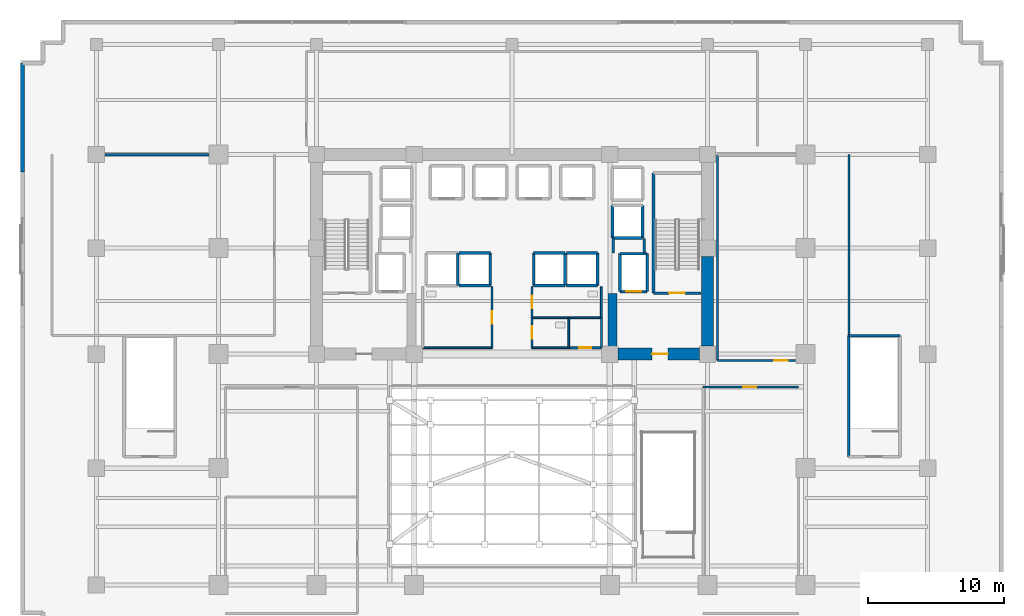
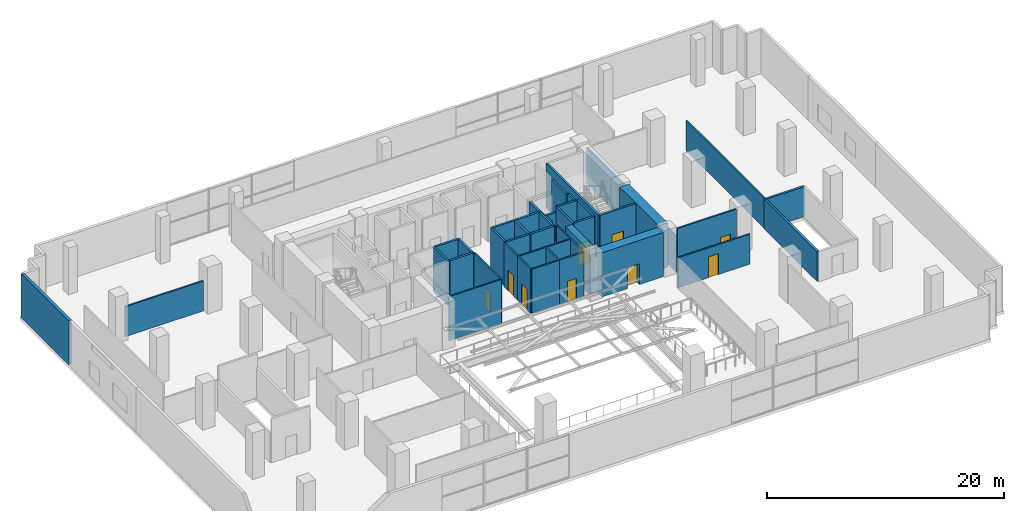
# One storey, part 16 of 22: 43 walls, 9 doors, 9 openings.
"""IFC4 building model written with IfcOpenShell, lengths in metres."""

from ifc_helpers import new_model, si_unit, direction, frame, frame_2d, origin, place, context, subcontext, project, spatial, rectangle, extrude, source, transform, mapped, material, layer, layer_set, type_object, element, fill, save


model = new_model("IFC4")

# Units and contexts
model_context = context("Model", 3, precision=1e-05, world=origin(), true_north=direction((0.0, 1.0)))
body_context = subcontext(model_context, "Body", "Model", "MODEL_VIEW")
ifc_project = project(units=[si_unit("LENGTHUNIT", "METRE"), si_unit("AREAUNIT", "SQUARE_METRE"), si_unit("VOLUMEUNIT", "CUBIC_METRE"), si_unit("PLANEANGLEUNIT", "RADIAN"), si_unit("MASSUNIT", "GRAM", prefix="KILO")], contexts=[model_context])

# Site, building, storey
site_placement = place(None, origin())
site = spatial("IfcSite", under=ifc_project, at=site_placement, CompositionType="ELEMENT")
building_placement = place(site_placement, origin())
building = spatial("IfcBuilding", under=site, at=building_placement, Name="Zarnakvel Exchange Tower", CompositionType="ELEMENT")
storey_placement = place(building_placement, frame((0.0, 0.0, 22.60009765625)))
storey = spatial("IfcBuildingStorey", under=building, at=storey_placement, Name="L05", CompositionType="ELEMENT", Elevation=22.60009765625)

# Wall
ifc_material_1 = material(Name="Concrete C80/95", Category="concrete")
ifc_layer_1 = layer(ifc_material_1, 0.89990234375)
ifc_layer_set_1 = layer_set([ifc_layer_1], Name="Concrete C80/95")
wall_type_1 = type_object("IfcWallType", Name="CW-C1", PredefinedType="SHEAR", material=ifc_layer_set_1)
wall_1_placement = place(storey_placement, frame((14.39990234375, -0.60009765625, 0.0), z_axis=(0.0, 0.0, 1.0), x_axis=(0.0, 1.0, 0.0)))
element("IfcWall", 1, at=wall_1_placement, inside=storey, type_object=wall_type_1, Name="L05 Rear Core Shear Wall E1 (CW-C1)", PredefinedType="SHEAR", context=body_context, shape_type="SweptSolid", body=[
    extrude(rectangle(XDim=6.60009765625, YDim=0.89990234375, at=frame_2d((3.300048828125, 0.0))), origin(), (0.0, 0.0, 1.0), 4.5498046875),
])

# Wall, opening, door
wall_2_placement = place(storey_placement, frame((13.800048828125, -1.199951171875, 0.0), z_axis=(0.0, 0.0, 1.0), x_axis=(-1.0, 0.0, 0.0)))
wall_2 = element("IfcWall", 2, at=wall_2_placement, inside=storey, type_object=wall_type_1, Name="L05 Rear Core Shear Wall SE (CW-C1)", PredefinedType="SHEAR", context=body_context, shape_type="SweptSolid", body=[
    extrude(rectangle(XDim=6.0, YDim=0.89990234375, at=frame_2d((3.0, 0.0))), origin(), (0.0, 0.0, 1.0), 4.5498046875),
])
opening_1_placement = place(wall_2_placement, frame((2.324951171875, 0.0, 0.0)))
opening_1 = element("IfcOpeningElement", 3, at=opening_1_placement, cuts=wall_2, Name="Opening D-L05-04", PredefinedType="OPENING", context=body_context, shape_type="SweptSolid", body=[
    extrude(rectangle(XDim=1.14990234375, YDim=2.14990234375, at=frame_2d((0.574951171875, 1.074951171875))), frame((0.0, 0.4599609375, 0.0), z_axis=(0.0, -1.0, 0.0), x_axis=(1.0, 0.0, 0.0)), (0.0, 0.0, 1.0), 0.919921875),
])
ifc_material_2 = material(Name="Painted Galvanised Steel S355", Category="steel")
door_type_1 = type_object("IfcDoorType", Name="DT-04", OperationType="NOTDEFINED", PredefinedType="DOOR", material=ifc_material_2)
shared_shape_1 = source(origin(), body_context, "Body", "SweptSolid", [
    extrude(rectangle(XDim=1.14990234375, YDim=2.14990234375, at=frame_2d((0.574951171875, 1.074951171875))), frame((0.0, 0.02490234375, 0.0), z_axis=(0.0, -1.0, 0.0), x_axis=(1.0, 0.0, 0.0)), (0.0, 0.0, 1.0), 0.050048828125),
])
door_1_placement = place(opening_1_placement, origin())
door_1 = element("IfcDoor", 4, at=door_1_placement, inside=storey, type_object=door_type_1, Name="L05 Firefighting Lobby East Door D-L05-04", OperationType="SINGLE_SWING_LEFT", OverallHeight=2.14990234375, OverallWidth=1.14990234375, PredefinedType="DOOR", context=body_context, shape_type="MappedRepresentation", body=[
    mapped(shared_shape_1, transform((0.0, 0.0, 0.0), x_axis=(1.0, 0.0, 0.0), y_axis=(0.0, 1.0, 0.0), z_axis=(0.0, 0.0, 1.0), scale=1.0)),
])
fill(opening_1, door_1)

# Walls
ifc_layer_2 = layer(ifc_material_1, 0.64990234375)
ifc_layer_set_2 = layer_set([ifc_layer_2], Name="Concrete C80/95")
wall_type_2 = type_object("IfcWallType", Name="CW-C2", PredefinedType="SHEAR", material=ifc_layer_set_2)
wall_3_placement = place(storey_placement, frame((7.39990234375, -0.75, 0.0), z_axis=(0.0, 0.0, 1.0), x_axis=(0.0, 1.0, 0.0)))
element("IfcWall", 5, at=wall_3_placement, inside=storey, type_object=wall_type_2, Name="L05 Rear Core Shear Wall IE (CW-C2)", PredefinedType="SHEAR", context=body_context, shape_type="SweptSolid", body=[
    extrude(rectangle(XDim=4.0, YDim=0.64990234375, at=frame_2d((2.0, 0.0))), origin(), (0.0, 0.0, 1.0), 4.5498046875),
])
ifc_material_3 = material(Name="Precast concrete C40/50", Category="concrete")
ifc_layer_3 = layer(ifc_material_3, 0.280029296875)
ifc_layer_set_3 = layer_set([ifc_layer_3], Name="Precast concrete C40/50")
wall_type_3 = type_object("IfcWallType", Name="EW-01", PredefinedType="SOLIDWALL", material=ifc_layer_set_3)
wall_4_placement = place(storey_placement, frame((-36.0400390625, 20.239990234375, 0.0), z_axis=(0.0, 0.0, 1.0), x_axis=(0.0, -1.0, 0.0)))
element("IfcWall", 6, at=wall_4_placement, inside=storey, type_object=wall_type_3, Name="L05 Exterior Precast Spandrel Wall EWC-L05-02 (EW-01)", PredefinedType="SOLIDWALL", context=body_context, shape_type="SweptSolid", body=[
    extrude(rectangle(XDim=8.0400390625, YDim=0.280029296875, at=frame_2d((4.02001953125, 0.0))), origin(), (0.0, 0.0, 1.0), 4.5498046875),
])

# Wall, opening, door
ifc_material_4 = material(Name="Fire-Rated Gypsum Stud Partition", Category="gypsum")
ifc_layer_4 = layer(ifc_material_4, 0.14990234375)
ifc_layer_set_4 = layer_set([ifc_layer_4], Name="Fire-Rated Gypsum Stud Partition")
wall_type_4 = type_object("IfcWallType", Name="PT-01", PredefinedType="PARTITIONING", material=ifc_layer_set_4)
wall_5_placement = place(storey_placement, frame((6.580078125, -0.72998046875, 0.0), z_axis=(0.0, 0.0, 1.0), x_axis=(-1.0, 0.0, 0.0)))
wall_5 = element("IfcWall", 7, at=wall_5_placement, inside=storey, type_object=wall_type_4, Name="L05 Partition Wall PWALL-L05-020 (PT-01)", PredefinedType="PARTITIONING", context=body_context, shape_type="SweptSolid", body=[
    extrude(rectangle(XDim=2.400146484375, YDim=0.14990234375, at=frame_2d((1.2001953125, 0.0))), origin(), (0.0, 0.0, 1.0), 4.5498046875),
])
opening_2_placement = place(wall_5_placement, frame((0.760009765625, 0.0, 0.0)))
opening_2 = element("IfcOpeningElement", 8, at=opening_2_placement, cuts=wall_5, Name="Opening D-L05-08", PredefinedType="OPENING", context=body_context, shape_type="SweptSolid", body=[
    extrude(rectangle(XDim=0.8798828125, YDim=2.10009765625, at=frame_2d((0.43994140625, 1.050048828125))), frame((0.0, 0.0849609375, 0.0), z_axis=(0.0, -1.0, 0.0), x_axis=(1.0, 0.0, 0.0)), (0.0, 0.0, 1.0), 0.169921875),
])
door_type_2 = type_object("IfcDoorType", Name="DT-08", OperationType="NOTDEFINED", PredefinedType="DOOR", material=ifc_material_2)
shared_shape_2 = source(origin(), body_context, "Body", "SweptSolid", [
    extrude(rectangle(XDim=0.8798828125, YDim=2.10009765625, at=frame_2d((0.43994140625, 1.050048828125))), frame((0.0, 0.02490234375, 0.0), z_axis=(0.0, -1.0, 0.0), x_axis=(1.0, 0.0, 0.0)), (0.0, 0.0, 1.0), 0.050048828125),
])
door_2_placement = place(opening_2_placement, origin())
door_2 = element("IfcDoor", 9, at=door_2_placement, inside=storey, type_object=door_type_2, Name="L05 Cleaners Store Door D-L05-08", OperationType="SINGLE_SWING_LEFT", OverallHeight=2.10009765625, OverallWidth=0.8798828125, PredefinedType="DOOR", context=body_context, shape_type="MappedRepresentation", body=[
    mapped(shared_shape_2, transform((0.0, 0.0, 0.0), x_axis=(1.0, 0.0, 0.0), y_axis=(0.0, 1.0, 0.0), z_axis=(0.0, 0.0, 1.0), scale=1.0)),
])
fill(opening_2, door_2)

# Wall
wall_6_placement = place(storey_placement, frame((6.580078125, 1.47998046875, 0.0), z_axis=(0.0, 0.0, 1.0), x_axis=(0.0, -1.0, 0.0)))
element("IfcWall", 10, at=wall_6_placement, inside=storey, type_object=wall_type_4, Name="L05 Partition Wall PWALL-L05-021 (PT-01)", PredefinedType="PARTITIONING", context=body_context, shape_type="SweptSolid", body=[
    extrude(rectangle(XDim=2.2099609375, YDim=0.14990234375, at=frame_2d((1.10498046875, 0.0))), origin(), (0.0, 0.0, 1.0), 4.5498046875),
])

# Wall, opening, door
wall_7_placement = place(storey_placement, frame((14.080078125, -3.6298828125, 0.0), z_axis=(0.0, 0.0, 1.0), x_axis=(1.0, 0.0, 0.0)))
wall_7 = element("IfcWall", 11, at=wall_7_placement, inside=storey, type_object=wall_type_4, Name="L05 Partition Wall PWALL-L05-038 (PT-01)", PredefinedType="PARTITIONING", context=body_context, shape_type="SweptSolid", body=[
    extrude(rectangle(XDim=7.0, YDim=0.14990234375, at=frame_2d((3.5, 0.0))), origin(), (0.0, 0.0, 1.0), 3.08984375),
])
opening_3_placement = place(wall_7_placement, frame((2.929931640625, 0.0, 0.0)))
opening_3 = element("IfcOpeningElement", 12, at=opening_3_placement, cuts=wall_7, Name="Opening D-L05-13", PredefinedType="OPENING", context=body_context, shape_type="SweptSolid", body=[
    extrude(rectangle(XDim=0.97998046875, YDim=2.14990234375, at=frame_2d((0.489990234375, 1.074951171875))), frame((0.0, 0.0849609375, 0.0), z_axis=(0.0, -1.0, 0.0), x_axis=(1.0, 0.0, 0.0)), (0.0, 0.0, 1.0), 0.169921875),
])
ifc_material_5 = material(Name="Timber Acoustic Veneer", Category="wood")
door_type_3 = type_object("IfcDoorType", Name="DT-05", OperationType="NOTDEFINED", PredefinedType="DOOR", material=ifc_material_5)
shared_shape_3 = source(origin(), body_context, "Body", "SweptSolid", [
    extrude(rectangle(XDim=0.97998046875, YDim=2.14990234375, at=frame_2d((0.489990234375, 1.074951171875))), frame((0.0, 0.02490234375, 0.0), z_axis=(0.0, -1.0, 0.0), x_axis=(1.0, 0.0, 0.0)), (0.0, 0.0, 1.0), 0.050048828125),
])
door_3_placement = place(opening_3_placement, origin())
door_3 = element("IfcDoor", 13, at=door_3_placement, inside=storey, type_object=door_type_3, Name="L05 Algorithmic Brokerage Workspace Door D-L05-13", OperationType="SINGLE_SWING_RIGHT", OverallHeight=2.14990234375, OverallWidth=0.97998046875, PredefinedType="DOOR", context=body_context, shape_type="MappedRepresentation", body=[
    mapped(shared_shape_3, transform((0.0, 0.0, 0.0), x_axis=(1.0, 0.0, 0.0), y_axis=(0.0, 1.0, 0.0), z_axis=(0.0, 0.0, 1.0), scale=1.0)),
])
fill(opening_3, door_3)

# Wall
wall_8_placement = place(storey_placement, frame((-29.97998046875, 13.47998046875, 0.0), z_axis=(0.0, 0.0, 1.0), x_axis=(1.0, 0.0, 0.0)))
element("IfcWall", 14, at=wall_8_placement, inside=storey, type_object=wall_type_4, Name="L05 Partition Wall PWALL-L05-043 (PT-01)", PredefinedType="PARTITIONING", context=body_context, shape_type="SweptSolid", body=[
    extrude(rectangle(XDim=7.659912109375, YDim=0.14990234375, at=frame_2d((3.830078125, 0.0))), origin(), (0.0, 0.0, 1.0), 3.08984375),
])

# Wall, opening, door
wall_9_placement = place(storey_placement, frame((20.8798828125, -1.669921875, 0.0), z_axis=(0.0, 0.0, 1.0), x_axis=(-1.0, 0.0, 0.0)))
wall_9 = element("IfcWall", 15, at=wall_9_placement, inside=storey, type_object=wall_type_4, Name="L05 Partition Wall PWALL-L05-046 (PT-01)", PredefinedType="PARTITIONING", context=body_context, shape_type="SweptSolid", body=[
    extrude(rectangle(XDim=5.759765625, YDim=0.14990234375, at=frame_2d((2.8798828125, 0.0))), origin(), (0.0, 0.0, 1.0), 4.5498046875),
])
opening_4_placement = place(wall_9_placement, frame((0.590087890625, 0.0, 0.0)))
opening_4 = element("IfcOpeningElement", 16, at=opening_4_placement, cuts=wall_9, Name="Opening D-L05-15", PredefinedType="OPENING", context=body_context, shape_type="SweptSolid", body=[
    extrude(rectangle(XDim=0.97998046875, YDim=2.14990234375, at=frame_2d((0.489990234375, 1.074951171875))), frame((0.0, 0.0849609375, 0.0), z_axis=(0.0, -1.0, 0.0), x_axis=(1.0, 0.0, 0.0)), (0.0, 0.0, 1.0), 0.169921875),
])
door_4_placement = place(opening_4_placement, origin())
door_4 = element("IfcDoor", 17, at=door_4_placement, inside=storey, type_object=door_type_3, Name="L05 Shariah Advisory Boardroom Door D-L05-15", OperationType="SINGLE_SWING_RIGHT", OverallHeight=2.14990234375, OverallWidth=0.97998046875, PredefinedType="DOOR", context=body_context, shape_type="MappedRepresentation", body=[
    mapped(shared_shape_3, transform((0.0, 0.0, 0.0), x_axis=(1.0, 0.0, 0.0), y_axis=(0.0, 1.0, 0.0), z_axis=(0.0, 0.0, 1.0), scale=1.0)),
])
fill(opening_4, door_4)

# Walls
wall_10_placement = place(storey_placement, frame((15.1201171875, -1.669921875, 0.0), z_axis=(0.0, 0.0, 1.0), x_axis=(0.0, 1.0, 0.0)))
element("IfcWall", 18, at=wall_10_placement, inside=storey, type_object=wall_type_4, Name="L05 Partition Wall PWALL-L05-048 (PT-01)", PredefinedType="PARTITIONING", context=body_context, shape_type="SweptSolid", body=[
    extrude(rectangle(XDim=15.14990234375, YDim=0.14990234375, at=frame_2d((7.574951171875, 0.0))), origin(), (0.0, 0.0, 1.0), 3.725830078125),
])
wall_11_placement = place(storey_placement, frame((24.820068359375, 13.47998046875, 0.0), z_axis=(0.0, 0.0, 1.0), x_axis=(0.0, -1.0, 0.0)))
element("IfcWall", 19, at=wall_11_placement, inside=storey, type_object=wall_type_4, Name="L05 Partition Wall PWALL-L05-049 (PT-01)", PredefinedType="PARTITIONING", context=body_context, shape_type="SweptSolid", body=[
    extrude(rectangle(XDim=13.320068359375, YDim=0.14990234375, at=frame_2d((6.66015625, 0.0))), origin(), (0.0, 0.0, 1.0), 3.08984375),
])
ifc_layer_5 = layer(ifc_material_4, 0.179931640625)
ifc_layer_set_5 = layer_set([ifc_layer_5], Name="Fire-Rated Gypsum Stud Partition")
wall_type_5 = type_object("IfcWallType", Name="PT-02", PredefinedType="PARTITIONING", material=ifc_layer_set_5)
wall_12_placement = place(storey_placement, frame((7.469970703125, 6.239990234375, 0.0), z_axis=(0.0, 0.0, 1.0), x_axis=(0.0, 1.0, 0.0)))
element("IfcWall", 20, at=wall_12_placement, inside=storey, type_object=wall_type_5, Name="L05 Partition Wall PWALL-L05-009 (PT-02)", PredefinedType="PARTITIONING", context=body_context, shape_type="SweptSolid", body=[
    extrude(rectangle(XDim=1.090087890625, YDim=0.179931640625, at=frame_2d((0.544921875, 0.0))), origin(), (0.0, 0.0, 1.0), 3.08984375),
])
wall_13_placement = place(storey_placement, frame((9.72998046875, 7.330078125, 0.0), z_axis=(0.0, 0.0, 1.0), x_axis=(0.0, -1.0, 0.0)))
element("IfcWall", 21, at=wall_13_placement, inside=storey, type_object=wall_type_5, Name="L05 Partition Wall PWALL-L05-010 (PT-02)", PredefinedType="PARTITIONING", context=body_context, shape_type="SweptSolid", body=[
    extrude(rectangle(XDim=1.090087890625, YDim=0.179931640625, at=frame_2d((0.544921875, 0.0))), origin(), (0.0, 0.0, 1.0), 4.5498046875),
])
ifc_material_6 = material(Name="Moisture-Resistant Tile-Faced Partition", Category="gypsum")
ifc_layer_6 = layer(ifc_material_6, 0.135009765625)
ifc_layer_set_6 = layer_set([ifc_layer_6], Name="Moisture-Resistant Tile-Faced Partition")
wall_type_6 = type_object("IfcWallType", Name="PT-03", PredefinedType="PARTITIONING", material=ifc_layer_set_6)
wall_14_placement = place(storey_placement, frame((-1.469970703125, -0.72998046875, 0.0), z_axis=(0.0, 0.0, 1.0), x_axis=(-1.0, 0.0, 0.0)))
element("IfcWall", 22, at=wall_14_placement, inside=storey, type_object=wall_type_6, Name="L05 Partition Wall PWALL-L05-011 (PT-03)", PredefinedType="PARTITIONING", context=body_context, shape_type="SweptSolid", body=[
    extrude(rectangle(XDim=5.110107421875, YDim=0.135009765625, at=frame_2d((2.55517578125, 0.0))), origin(), (0.0, 0.0, 1.0), 4.5498046875),
])

# Wall, opening, door
wall_15_placement = place(storey_placement, frame((-1.469970703125, 3.760009765625, 0.0), z_axis=(0.0, 0.0, 1.0), x_axis=(0.0, -1.0, 0.0)))
wall_15 = element("IfcWall", 23, at=wall_15_placement, inside=storey, type_object=wall_type_6, Name="L05 Partition Wall PWALL-L05-013 (PT-03)", PredefinedType="PARTITIONING", context=body_context, shape_type="SweptSolid", body=[
    extrude(rectangle(XDim=4.489990234375, YDim=0.135009765625, at=frame_2d((2.2451171875, 0.0))), origin(), (0.0, 0.0, 1.0), 4.5498046875),
])
opening_5_placement = place(wall_15_placement, frame((1.800048828125, 0.0, 0.0)))
opening_5 = element("IfcOpeningElement", 24, at=opening_5_placement, cuts=wall_15, Name="Opening D-L05-05", PredefinedType="OPENING", context=body_context, shape_type="SweptSolid", body=[
    extrude(rectangle(XDim=0.919921875, YDim=2.10009765625, at=frame_2d((0.4599609375, 1.050048828125))), frame((0.0, 0.077392578125, 0.0), z_axis=(0.0, -1.0, 0.0), x_axis=(1.0, 0.0, 0.0)), (0.0, 0.0, 1.0), 0.155029296875),
])
ifc_material_7 = material(Name="Moisture-Resistant Laminate Timber", Category="wood")
door_type_4 = type_object("IfcDoorType", Name="DT-07", OperationType="NOTDEFINED", PredefinedType="DOOR", material=ifc_material_7)
shared_shape_4 = source(origin(), body_context, "Body", "SweptSolid", [
    extrude(rectangle(XDim=0.919921875, YDim=2.10009765625, at=frame_2d((0.4599609375, 1.050048828125))), frame((0.0, 0.02490234375, 0.0), z_axis=(0.0, -1.0, 0.0), x_axis=(1.0, 0.0, 0.0)), (0.0, 0.0, 1.0), 0.050048828125),
])
door_5_placement = place(opening_5_placement, origin())
door_5 = element("IfcDoor", 25, at=door_5_placement, inside=storey, type_object=door_type_4, Name="L05 Male Toilet Door D-L05-05", OperationType="SINGLE_SWING_RIGHT", OverallHeight=2.10009765625, OverallWidth=0.919921875, PredefinedType="DOOR", context=body_context, shape_type="MappedRepresentation", body=[
    mapped(shared_shape_4, transform((0.0, 0.0, 0.0), x_axis=(1.0, 0.0, 0.0), y_axis=(0.0, 1.0, 0.0), z_axis=(0.0, 0.0, 1.0), scale=1.0)),
])
fill(opening_5, door_5)

# Wall
wall_16_placement = place(storey_placement, frame((6.580078125, 1.47998046875, 0.0), z_axis=(0.0, 0.0, 1.0), x_axis=(-1.0, 0.0, 0.0)))
element("IfcWall", 26, at=wall_16_placement, inside=storey, type_object=wall_type_6, Name="L05 Partition Wall PWALL-L05-014 (PT-03)", PredefinedType="PARTITIONING", context=body_context, shape_type="SweptSolid", body=[
    extrude(rectangle(XDim=5.110107421875, YDim=0.135009765625, at=frame_2d((2.55517578125, 0.0))), origin(), (0.0, 0.0, 1.0), 4.5498046875),
])

# Wall, opening, door
wall_17_placement = place(storey_placement, frame((1.469970703125, 1.47998046875, 0.0), z_axis=(0.0, 0.0, 1.0), x_axis=(0.0, 1.0, 0.0)))
wall_17 = element("IfcWall", 27, at=wall_17_placement, inside=storey, type_object=wall_type_6, Name="L05 Partition Wall PWALL-L05-015 (PT-03)", PredefinedType="PARTITIONING", context=body_context, shape_type="SweptSolid", body=[
    extrude(rectangle(XDim=2.280029296875, YDim=0.135009765625, at=frame_2d((1.14013671875, 0.0))), origin(), (0.0, 0.0, 1.0), 4.5498046875),
])
opening_6_placement = place(wall_17_placement, frame((0.679931640625, 0.0, 0.0)))
opening_6 = element("IfcOpeningElement", 28, at=opening_6_placement, cuts=wall_17, Name="Opening D-L05-06", PredefinedType="OPENING", context=body_context, shape_type="SweptSolid", body=[
    extrude(rectangle(XDim=0.919921875, YDim=2.10009765625, at=frame_2d((0.4599609375, 1.050048828125))), frame((0.0, 0.077392578125, 0.0), z_axis=(0.0, -1.0, 0.0), x_axis=(1.0, 0.0, 0.0)), (0.0, 0.0, 1.0), 0.155029296875),
])
door_6_placement = place(opening_6_placement, origin())
door_6 = element("IfcDoor", 29, at=door_6_placement, inside=storey, type_object=door_type_4, Name="L05 Female Toilet Door D-L05-06", OperationType="SINGLE_SWING_LEFT", OverallHeight=2.10009765625, OverallWidth=0.919921875, PredefinedType="DOOR", context=body_context, shape_type="MappedRepresentation", body=[
    mapped(shared_shape_4, transform((0.0, 0.0, 0.0), x_axis=(1.0, 0.0, 0.0), y_axis=(0.0, 1.0, 0.0), z_axis=(0.0, 0.0, 1.0), scale=1.0)),
])
fill(opening_6, door_6)

# Walls
wall_18_placement = place(storey_placement, frame((6.580078125, 3.760009765625, 0.0), z_axis=(0.0, 0.0, 1.0), x_axis=(0.0, -1.0, 0.0)))
element("IfcWall", 30, at=wall_18_placement, inside=storey, type_object=wall_type_6, Name="L05 Partition Wall PWALL-L05-016 (PT-03)", PredefinedType="PARTITIONING", context=body_context, shape_type="SweptSolid", body=[
    extrude(rectangle(XDim=2.280029296875, YDim=0.135009765625, at=frame_2d((1.14013671875, 0.0))), origin(), (0.0, 0.0, 1.0), 4.5498046875),
])
wall_19_placement = place(storey_placement, frame((4.179931640625, -0.72998046875, 0.0), z_axis=(0.0, 0.0, 1.0), x_axis=(-1.0, 0.0, 0.0)))
element("IfcWall", 31, at=wall_19_placement, inside=storey, type_object=wall_type_6, Name="L05 Partition Wall PWALL-L05-017 (PT-03)", PredefinedType="PARTITIONING", context=body_context, shape_type="SweptSolid", body=[
    extrude(rectangle(XDim=2.7099609375, YDim=0.135009765625, at=frame_2d((1.35498046875, 0.0))), origin(), (0.0, 0.0, 1.0), 4.5498046875),
])

# Wall, opening, door
wall_20_placement = place(storey_placement, frame((1.469970703125, -0.72998046875, 0.0), z_axis=(0.0, 0.0, 1.0), x_axis=(0.0, 1.0, 0.0)))
wall_20 = element("IfcWall", 32, at=wall_20_placement, inside=storey, type_object=wall_type_6, Name="L05 Partition Wall PWALL-L05-018 (PT-03)", PredefinedType="PARTITIONING", context=body_context, shape_type="SweptSolid", body=[
    extrude(rectangle(XDim=2.2099609375, YDim=0.135009765625, at=frame_2d((1.10498046875, 0.0))), origin(), (0.0, 0.0, 1.0), 4.5498046875),
])
opening_7_placement = place(wall_20_placement, frame((0.64990234375, 0.0, 0.0)))
opening_7 = element("IfcOpeningElement", 33, at=opening_7_placement, cuts=wall_20, Name="Opening D-L05-07", PredefinedType="OPENING", context=body_context, shape_type="SweptSolid", body=[
    extrude(rectangle(XDim=0.919921875, YDim=2.10009765625, at=frame_2d((0.4599609375, 1.050048828125))), frame((0.0, 0.077392578125, 0.0), z_axis=(0.0, -1.0, 0.0), x_axis=(1.0, 0.0, 0.0)), (0.0, 0.0, 1.0), 0.155029296875),
])
door_7_placement = place(opening_7_placement, origin())
door_7 = element("IfcDoor", 34, at=door_7_placement, inside=storey, type_object=door_type_4, Name="L05 Accessible Toilet Door D-L05-07", OperationType="SINGLE_SWING_RIGHT", OverallHeight=2.10009765625, OverallWidth=0.919921875, PredefinedType="DOOR", context=body_context, shape_type="MappedRepresentation", body=[
    mapped(shared_shape_4, transform((0.0, 0.0, 0.0), x_axis=(1.0, 0.0, 0.0), y_axis=(0.0, 1.0, 0.0), z_axis=(0.0, 0.0, 1.0), scale=1.0)),
])
fill(opening_7, door_7)

# Wall
wall_21_placement = place(storey_placement, frame((4.179931640625, 1.47998046875, 0.0), z_axis=(0.0, 0.0, 1.0), x_axis=(0.0, -1.0, 0.0)))
element("IfcWall", 35, at=wall_21_placement, inside=storey, type_object=wall_type_6, Name="L05 Partition Wall PWALL-L05-019 (PT-03)", PredefinedType="PARTITIONING", context=body_context, shape_type="SweptSolid", body=[
    extrude(rectangle(XDim=2.2099609375, YDim=0.135009765625, at=frame_2d((1.10498046875, 0.0))), origin(), (0.0, 0.0, 1.0), 4.5498046875),
])

# Wall, opening, door
ifc_material_8 = material(Name="Concrete C40/50", Category="concrete")
ifc_layer_7 = layer(ifc_material_8, 0.199951171875)
ifc_layer_set_7 = layer_set([ifc_layer_7], Name="Concrete C40/50")
wall_type_7 = type_object("IfcWallType", Name="SW-01", PredefinedType="SOLIDWALL", material=ifc_layer_set_7)
wall_22_placement = place(storey_placement, frame((9.949951171875, 3.39990234375, 0.0), z_axis=(0.0, 0.0, 1.0), x_axis=(-1.0, 0.0, 0.0)))
wall_22 = element("IfcWall", 36, at=wall_22_placement, inside=storey, type_object=wall_type_7, Name="L05 FL-02 Hoistway Wall South", PredefinedType="SOLIDWALL", context=body_context, shape_type="SweptSolid", body=[
    extrude(rectangle(XDim=2.0, YDim=0.199951171875, at=frame_2d((1.0, 0.0))), origin(), (0.0, 0.0, 1.0), 4.5498046875),
])
opening_8_placement = place(wall_22_placement, frame((0.449951171875, 0.0, 0.0)))
opening_8 = element("IfcOpeningElement", 37, at=opening_8_placement, cuts=wall_22, Name="Opening LD-FL-02-L05", PredefinedType="OPENING", context=body_context, shape_type="SweptSolid", body=[
    extrude(rectangle(XDim=1.10009765625, YDim=2.199951171875, at=frame_2d((0.550048828125, 1.10009765625))), frame((0.0, 0.10986328125, 0.0), z_axis=(0.0, -1.0, 0.0), x_axis=(1.0, 0.0, 0.0)), (0.0, 0.0, 1.0), 0.219970703125),
])
ifc_material_9 = material(Name="Brushed Stainless Steel", Category="steel")
door_type_5 = type_object("IfcDoorType", Name="LDT-01", OperationType="NOTDEFINED", PredefinedType="DOOR", material=ifc_material_9)
shared_shape_5 = source(origin(), body_context, "Body", "SweptSolid", [
    extrude(rectangle(XDim=1.10009765625, YDim=2.199951171875, at=frame_2d((0.550048828125, 1.10009765625))), frame((0.0, 0.02490234375, 0.0), z_axis=(0.0, -1.0, 0.0), x_axis=(1.0, 0.0, 0.0)), (0.0, 0.0, 1.0), 0.050048828125),
])
door_8_placement = place(opening_8_placement, origin())
door_8 = element("IfcDoor", 38, at=door_8_placement, inside=storey, type_object=door_type_5, Name="L05 FL-02 Lift Landing Door LD-FL-02-L05", OperationType="DOUBLE_DOOR_SLIDING", OverallHeight=2.199951171875, OverallWidth=1.10009765625, PredefinedType="DOOR", context=body_context, shape_type="MappedRepresentation", body=[
    mapped(shared_shape_5, transform((0.0, 0.0, 0.0), x_axis=(1.0, 0.0, 0.0), y_axis=(0.0, 1.0, 0.0), z_axis=(0.0, 0.0, 1.0), scale=1.0)),
])
fill(opening_8, door_8)

# Walls
wall_23_placement = place(storey_placement, frame((7.949951171875, 6.199951171875, 0.0), z_axis=(0.0, 0.0, 1.0), x_axis=(1.0, 0.0, 0.0)))
element("IfcWall", 39, at=wall_23_placement, inside=storey, type_object=wall_type_7, Name="L05 FL-02 Hoistway Wall North", PredefinedType="SOLIDWALL", context=body_context, shape_type="SweptSolid", body=[
    extrude(rectangle(XDim=2.0, YDim=0.199951171875, at=frame_2d((1.0, 0.0))), origin(), (0.0, 0.0, 1.0), 4.5498046875),
])
for number, where, z_axis, x_axis, name in (
    (40, (7.949951171875, 3.39990234375, 0.0), (0.0, 0.0, 1.0), (0.0, 1.0, 0.0), "L05 FL-02 Hoistway Wall West"),
    (41, (9.949951171875, 6.199951171875, 0.0), (0.0, 0.0, 1.0), (0.0, -1.0, 0.0), "L05 FL-02 Hoistway Wall East"),
):
    element("IfcWall", number, at=place(storey_placement, frame(where, z_axis=z_axis, x_axis=x_axis)), inside=storey, type_object=wall_type_7, Name=name, PredefinedType="SOLIDWALL", context=body_context, shape_type="SweptSolid", body=[
        extrude(rectangle(XDim=2.800048828125, YDim=0.199951171875, at=frame_2d((1.39990234375, 0.0))), origin(), (0.0, 0.0, 1.0), 4.5498046875),
    ])
wall_24_placement = place(storey_placement, frame((-4.0, 6.25, 0.0), z_axis=(0.0, 0.0, 1.0), x_axis=(0.0, -1.0, 0.0)))
element("IfcWall", 42, at=wall_24_placement, inside=storey, type_object=wall_type_7, Name="L05 PL-05 Hoistway Wall East", PredefinedType="SOLIDWALL", context=body_context, shape_type="SweptSolid", body=[
    extrude(rectangle(XDim=2.39990234375, YDim=0.199951171875, at=frame_2d((1.199951171875, 0.0))), origin(), (0.0, 0.0, 1.0), 4.5498046875),
])
for number, where, z_axis, x_axis, name in (
    (43, (-1.60009765625, 3.85009765625, 0.0), (0.0, 0.0, 1.0), (-1.0, 0.0, 0.0), "L05 PL-06 Hoistway Wall South"),
    (44, (-3.89990234375, 6.25, 0.0), (0.0, 0.0, 1.0), (1.0, 0.0, 0.0), "L05 PL-06 Hoistway Wall North"),
):
    element("IfcWall", number, at=place(storey_placement, frame(where, z_axis=z_axis, x_axis=x_axis)), inside=storey, type_object=wall_type_7, Name=name, PredefinedType="SOLIDWALL", context=body_context, shape_type="SweptSolid", body=[
        extrude(rectangle(XDim=2.2998046875, YDim=0.199951171875, at=frame_2d((1.14990234375, 0.0))), origin(), (0.0, 0.0, 1.0), 4.5498046875),
    ])
wall_25_placement = place(storey_placement, frame((-1.60009765625, 6.25, 0.0), z_axis=(0.0, 0.0, 1.0), x_axis=(0.0, -1.0, 0.0)))
element("IfcWall", 45, at=wall_25_placement, inside=storey, type_object=wall_type_7, Name="L05 PL-06 Hoistway Wall East", PredefinedType="SOLIDWALL", context=body_context, shape_type="SweptSolid", body=[
    extrude(rectangle(XDim=2.39990234375, YDim=0.199951171875, at=frame_2d((1.199951171875, 0.0))), origin(), (0.0, 0.0, 1.0), 4.5498046875),
])
for number, where, z_axis, x_axis, name in (
    (46, (3.89990234375, 3.85009765625, 0.0), (0.0, 0.0, 1.0), (-1.0, 0.0, 0.0), "L05 PL-07 Hoistway Wall South"),
    (47, (1.60009765625, 6.25, 0.0), (0.0, 0.0, 1.0), (1.0, 0.0, 0.0), "L05 PL-07 Hoistway Wall North"),
):
    element("IfcWall", number, at=place(storey_placement, frame(where, z_axis=z_axis, x_axis=x_axis)), inside=storey, type_object=wall_type_7, Name=name, PredefinedType="SOLIDWALL", context=body_context, shape_type="SweptSolid", body=[
        extrude(rectangle(XDim=2.2998046875, YDim=0.199951171875, at=frame_2d((1.14990234375, 0.0))), origin(), (0.0, 0.0, 1.0), 4.5498046875),
    ])
for number, where, z_axis, x_axis, name in (
    (48, (1.60009765625, 3.85009765625, 0.0), (0.0, 0.0, 1.0), (0.0, 1.0, 0.0), "L05 PL-07 Hoistway Wall West"),
    (49, (3.89990234375, 6.25, 0.0), (0.0, 0.0, 1.0), (0.0, -1.0, 0.0), "L05 PL-07 Hoistway Wall East"),
):
    element("IfcWall", number, at=place(storey_placement, frame(where, z_axis=z_axis, x_axis=x_axis)), inside=storey, type_object=wall_type_7, Name=name, PredefinedType="SOLIDWALL", context=body_context, shape_type="SweptSolid", body=[
        extrude(rectangle(XDim=2.39990234375, YDim=0.199951171875, at=frame_2d((1.199951171875, 0.0))), origin(), (0.0, 0.0, 1.0), 4.5498046875),
    ])
for number, where, z_axis, x_axis, name in (
    (50, (6.300048828125, 3.85009765625, 0.0), (0.0, 0.0, 1.0), (-1.0, 0.0, 0.0), "L05 PL-08 Hoistway Wall South"),
    (51, (4.0, 6.25, 0.0), (0.0, 0.0, 1.0), (1.0, 0.0, 0.0), "L05 PL-08 Hoistway Wall North"),
):
    element("IfcWall", number, at=place(storey_placement, frame(where, z_axis=z_axis, x_axis=x_axis)), inside=storey, type_object=wall_type_7, Name=name, PredefinedType="SOLIDWALL", context=body_context, shape_type="SweptSolid", body=[
        extrude(rectangle(XDim=2.300048828125, YDim=0.199951171875, at=frame_2d((1.14990234375, 0.0))), origin(), (0.0, 0.0, 1.0), 4.5498046875),
    ])
wall_26_placement = place(storey_placement, frame((6.300048828125, 6.25, 0.0), z_axis=(0.0, 0.0, 1.0), x_axis=(0.0, -1.0, 0.0)))
element("IfcWall", 52, at=wall_26_placement, inside=storey, type_object=wall_type_7, Name="L05 PL-08 Hoistway Wall East", PredefinedType="SOLIDWALL", context=body_context, shape_type="SweptSolid", body=[
    extrude(rectangle(XDim=2.39990234375, YDim=0.199951171875, at=frame_2d((1.199951171875, 0.0))), origin(), (0.0, 0.0, 1.0), 4.5498046875),
])
wall_27_placement = place(storey_placement, frame((9.60009765625, 7.35009765625, 0.0), z_axis=(0.0, 0.0, 1.0), x_axis=(-1.0, 0.0, 0.0)))
element("IfcWall", 53, at=wall_27_placement, inside=storey, type_object=wall_type_7, Name="L05 PL-11 Hoistway Wall South", PredefinedType="SOLIDWALL", context=body_context, shape_type="SweptSolid", body=[
    extrude(rectangle(XDim=2.2001953125, YDim=0.199951171875, at=frame_2d((1.10009765625, 0.0))), origin(), (0.0, 0.0, 1.0), 3.08984375),
])
wall_28_placement = place(storey_placement, frame((7.39990234375, 7.35009765625, 0.0), z_axis=(0.0, 0.0, 1.0), x_axis=(0.0, 1.0, 0.0)))
element("IfcWall", 54, at=wall_28_placement, inside=storey, type_object=wall_type_7, Name="L05 PL-11 Hoistway Wall West", PredefinedType="SOLIDWALL", context=body_context, shape_type="SweptSolid", body=[
    extrude(rectangle(XDim=2.39990234375, YDim=0.199951171875, at=frame_2d((1.199951171875, 0.0))), origin(), (0.0, 0.0, 1.0), 3.08984375),
])
wall_29_placement = place(storey_placement, frame((9.60009765625, 9.75, 0.0), z_axis=(0.0, 0.0, 1.0), x_axis=(0.0, -1.0, 0.0)))
element("IfcWall", 55, at=wall_29_placement, inside=storey, type_object=wall_type_7, Name="L05 PL-11 Hoistway Wall East", PredefinedType="SOLIDWALL", context=body_context, shape_type="SweptSolid", body=[
    extrude(rectangle(XDim=2.39990234375, YDim=0.199951171875, at=frame_2d((1.199951171875, 0.0))), origin(), (0.0, 0.0, 1.0), 4.5498046875),
])

# Wall, opening, door
ifc_layer_8 = layer(ifc_material_8, 0.199951171875)
ifc_layer_set_8 = layer_set([ifc_layer_8], Name="Concrete C40/50")
wall_type_8 = type_object("IfcWallType", Name="SW-02", PredefinedType="SOLIDWALL", material=ifc_layer_set_8)
wall_30_placement = place(storey_placement, frame((13.929931640625, 3.2900390625, 0.0), z_axis=(0.0, 0.0, 1.0), x_axis=(-1.0, 0.0, 0.0)))
wall_30 = element("IfcWall", 56, at=wall_30_placement, inside=storey, type_object=wall_type_8, Name="L05 Stairwell Core Wall PWALL-L05-004 (SW-02)", PredefinedType="SOLIDWALL", context=body_context, shape_type="SweptSolid", body=[
    extrude(rectangle(XDim=3.52001953125, YDim=0.199951171875, at=frame_2d((1.760009765625, 0.0))), origin(), (0.0, 0.0, 1.0), 4.5498046875),
])
opening_9_placement = place(wall_30_placement, frame((1.205078125, 0.0, 0.0)))
opening_9 = element("IfcOpeningElement", 57, at=opening_9_placement, cuts=wall_30, Name="Opening D-L05-02", PredefinedType="OPENING", context=body_context, shape_type="SweptSolid", body=[
    extrude(rectangle(XDim=1.14990234375, YDim=2.14990234375, at=frame_2d((0.574951171875, 1.074951171875))), frame((0.0, 0.10986328125, 0.0), z_axis=(0.0, -1.0, 0.0), x_axis=(1.0, 0.0, 0.0)), (0.0, 0.0, 1.0), 0.219970703125),
])
door_9_placement = place(opening_9_placement, origin())
door_9 = element("IfcDoor", 58, at=door_9_placement, inside=storey, type_object=door_type_1, Name="L05 Stairwell ST-02 Door D-L05-02", OperationType="SINGLE_SWING_LEFT", OverallHeight=2.14990234375, OverallWidth=1.14990234375, PredefinedType="DOOR", context=body_context, shape_type="MappedRepresentation", body=[
    mapped(shared_shape_1, transform((0.0, 0.0, 0.0), x_axis=(1.0, 0.0, 0.0), y_axis=(0.0, 1.0, 0.0), z_axis=(0.0, 0.0, 1.0), scale=1.0)),
])
fill(opening_9, door_9)

# Walls
wall_31_placement = place(storey_placement, frame((10.409912109375, 3.2900390625, 0.0), z_axis=(0.0, 0.0, 1.0), x_axis=(0.0, 1.0, 0.0)))
element("IfcWall", 59, at=wall_31_placement, inside=storey, type_object=wall_type_8, Name="L05 Stairwell Core Wall PWALL-L05-006 (SW-02)", PredefinedType="SOLIDWALL", context=body_context, shape_type="SweptSolid", body=[
    extrude(rectangle(XDim=8.83984375, YDim=0.199951171875, at=frame_2d((4.419921875, 0.0))), origin(), (0.0, 0.0, 1.0), 4.5498046875),
])
wall_32_placement = place(storey_placement, frame((24.7900390625, 0.159912109375, 0.0), z_axis=(0.0, 0.0, 1.0), x_axis=(1.0, 0.0, 0.0)))
element("IfcWall", 60, at=wall_32_placement, inside=storey, type_object=wall_type_8, Name="L05 Stairwell Core Wall PWALL-L05-027 (SW-02)", PredefinedType="SOLIDWALL", context=body_context, shape_type="SweptSolid", body=[
    extrude(rectangle(XDim=3.77001953125, YDim=0.199951171875, at=frame_2d((1.885009765625, 0.0))), origin(), (0.0, 0.0, 1.0), 3.08984375),
])
wall_33_placement = place(storey_placement, frame((24.7900390625, -8.760009765625, 0.0), z_axis=(0.0, 0.0, 1.0), x_axis=(0.0, 1.0, 0.0)))
element("IfcWall", 61, at=wall_33_placement, inside=storey, type_object=wall_type_8, Name="L05 Stairwell Core Wall PWALL-L05-028 (SW-02)", PredefinedType="SOLIDWALL", context=body_context, shape_type="SweptSolid", body=[
    extrude(rectangle(XDim=8.919921875, YDim=0.199951171875, at=frame_2d((4.4599609375, 0.0))), origin(), (0.0, 0.0, 1.0), 3.08984375),
])

save(model, "model.ifc")
